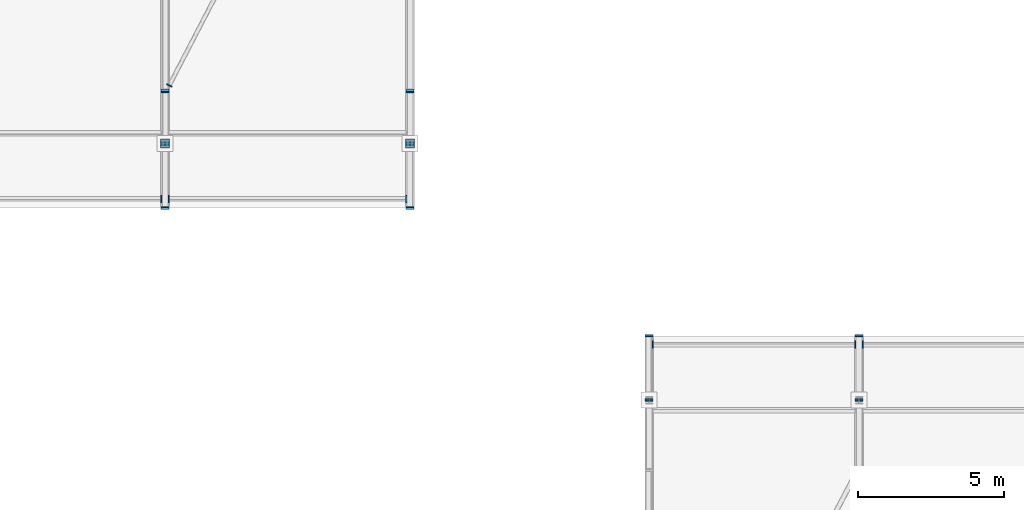
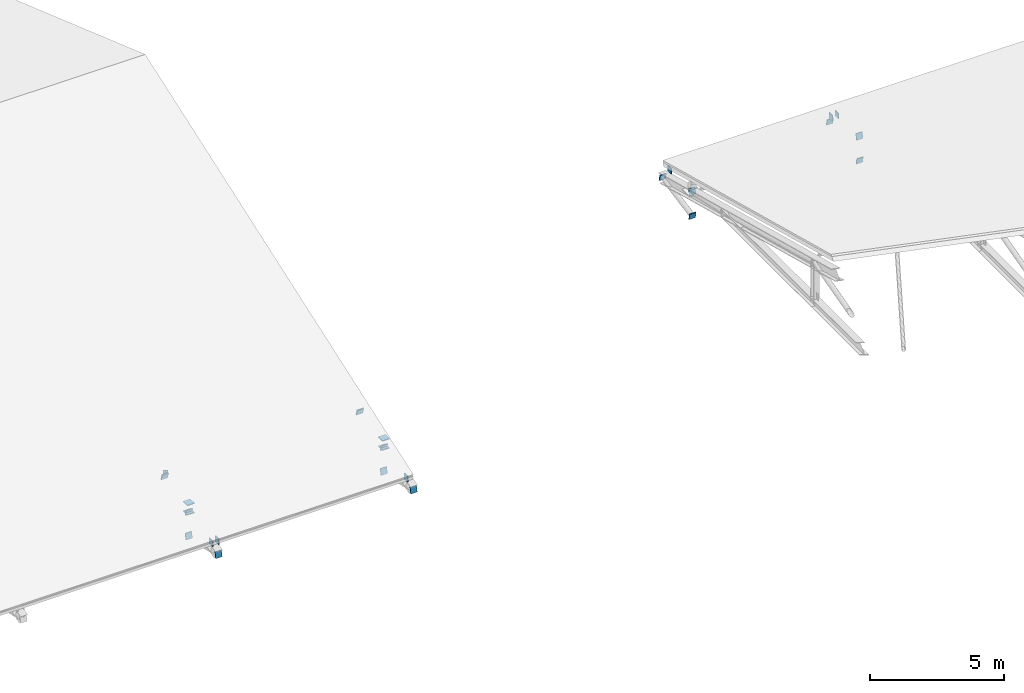
# One storey, part 43 of 57: 27 discrete accessories.
"""IFC4 building model written with IfcOpenShell, lengths in metres."""

from ifc_helpers import new_model, si_unit, direction, frame, origin, origin_2d, place, context, subcontext, project, spatial, rectangle, extrude, material, material_profile, profile_set, type_object, element, save


model = new_model("IFC4")

# Units and contexts
model_context = context("Model", 3, precision=1e-05, world=origin(), true_north=direction((0.0, 1.0)))
body_context = subcontext(model_context, "Body", "Model", "MODEL_VIEW")
ifc_project = project(units=[si_unit("LENGTHUNIT", "METRE"), si_unit("AREAUNIT", "SQUARE_METRE"), si_unit("VOLUMEUNIT", "CUBIC_METRE"), si_unit("PLANEANGLEUNIT", "RADIAN"), si_unit("MASSUNIT", "GRAM", prefix="KILO")], contexts=[model_context])

# Site, building, storey
site_placement = place(None, origin())
site = spatial("IfcSite", under=ifc_project, at=site_placement, CompositionType="ELEMENT")
building_placement = place(site_placement, origin())
building = spatial("IfcBuilding", under=site, at=building_placement, Name="Kelarvand Opera House", CompositionType="ELEMENT")
storey_placement = place(building_placement, frame((0.0, 0.0, 33.60009765625)))
storey = spatial("IfcBuildingStorey", under=building, at=storey_placement, Name="Roof", CompositionType="ELEMENT", Elevation=33.60009765625)

# Discrete accessories
ifc_material = material(Name="Steel S355", Category="steel")
ifc_material_profile_1 = material_profile(ifc_material, rectangle(XDim=0.199951171875, YDim=0.199951171875, at=origin_2d()), Name="Welded Steel Hollow End-Cap Plate 200x200x24", Category="steel")
ifc_profile_set_1 = profile_set([ifc_material_profile_1], Name="Steel S355")
discrete_accessory_type_1 = type_object("IfcDiscreteAccessoryType", Name="Welded Steel Hollow End-Cap Plate 200x200x24", PredefinedType="SHOE", material=ifc_profile_set_1)
discrete_accessory_1_placement = place(storey_placement, frame((42.753662109375, 89.20703125, -13.580078125), z_axis=(-0.4634975267, -0.886098212809, 0.0), x_axis=(0.886098212809, -0.4634975267, 0.0)))
element("IfcDiscreteAccessory", 1, at=discrete_accessory_1_placement, inside=storey, type_object=discrete_accessory_type_1, Name="Hollow Section Welded End Cap 699", PredefinedType="SHOE", context=body_context, shape_type="SweptSolid", body=[
    extrude(rectangle(XDim=0.199951171875, YDim=0.199951171875, at=origin_2d()), origin(), (0.0, 0.0, 1.0), 0.035888671875),
])
ifc_material_profile_2 = material_profile(ifc_material, rectangle(XDim=0.260009765625, YDim=0.260009765625, at=origin_2d()), Name="Welded Steel Hollow End-Cap Plate 260x260x24", Category="steel")
ifc_profile_set_2 = profile_set([ifc_material_profile_2], Name="Steel S355")
discrete_accessory_type_2 = type_object("IfcDiscreteAccessoryType", Name="Welded Steel Hollow End-Cap Plate 260x260x24", PredefinedType="SHOE", material=ifc_profile_set_2)
discrete_accessory_2_placement = place(storey_placement, frame((59.347900390625, 80.300048828125, -0.21923828125), z_axis=(-1.0, 0.0, 0.0), x_axis=(0.0, -1.0, 0.0)))
element("IfcDiscreteAccessory", 2, at=discrete_accessory_2_placement, inside=storey, type_object=discrete_accessory_type_2, Name="Hollow Section Welded End Cap 519", PredefinedType="SHOE", context=body_context, shape_type="SweptSolid", body=[
    extrude(rectangle(XDim=0.260009765625, YDim=0.260009765625, at=origin_2d()), origin(), (0.0, 0.0, 1.0), 0.035888671875),
])
for number, where, z_axis, x_axis, name in (
    (3, (66.251953125, 80.300048828125, -0.21923828125), (1.0, 0.0, 0.0), (0.0, 1.0, 0.0), "Hollow Section Welded End Cap 520"),
    (4, (66.548095703125, 80.300048828125, -0.21923828125), (-1.0, 0.0, 0.0), (0.0, -1.0, 0.0), "Hollow Section Welded End Cap 527"),
    (5, (42.451904296875, 85.300048828125, -14.2998046875), (1.0, 0.0, 0.0), (0.0, 1.0, 0.0), "Hollow Section Welded End Cap 696"),
    (6, (42.748046875, 85.300048828125, -14.2998046875), (-1.0, 0.0, 0.0), (0.0, -1.0, 0.0), "Hollow Section Welded End Cap 697"),
):
    element("IfcDiscreteAccessory", number, at=place(storey_placement, frame(where, z_axis=z_axis, x_axis=x_axis)), inside=storey, type_object=discrete_accessory_type_2, Name=name, PredefinedType="SHOE", context=body_context, shape_type="SweptSolid", body=[
        extrude(rectangle(XDim=0.260009765625, YDim=0.260009765625, at=origin_2d()), origin(), (0.0, 0.0, 1.0), 0.0361328125),
    ])
discrete_accessory_3_placement = place(storey_placement, frame((50.85205078125, 85.300048828125, -14.2998046875), z_axis=(1.0, 0.0, 0.0), x_axis=(0.0, 1.0, 0.0)))
element("IfcDiscreteAccessory", 7, at=discrete_accessory_3_placement, inside=storey, type_object=discrete_accessory_type_2, Name="Hollow Section Welded End Cap 698", PredefinedType="SHOE", context=body_context, shape_type="SweptSolid", body=[
    extrude(rectangle(XDim=0.260009765625, YDim=0.260009765625, at=origin_2d()), origin(), (0.0, 0.0, 1.0), 0.035888671875),
])
ifc_material_profile_3 = material_profile(ifc_material, rectangle(XDim=0.279052734375, YDim=0.279052734375, at=origin_2d()), Name="Welded Steel Hollow End-Cap Plate 279x279x24", Category="steel")
ifc_profile_set_3 = profile_set([ifc_material_profile_3], Name="Steel S355")
discrete_accessory_type_3 = type_object("IfcDiscreteAccessoryType", Name="Welded Steel Hollow End-Cap Plate 279x279x24", PredefinedType="SHOE", material=ifc_profile_set_3)
for number, where, z_axis, x_axis, name in (
    (8, (59.199951171875, 78.407958984375, -1.0986328125), (0.0, -0.981861262275, -0.189600795474), (1.0, 0.0, 0.0), "Hollow Section Welded End Cap 439"),
    (9, (59.199951171875, 80.592041015625, -0.677001953125), (0.0, 0.981861262275, 0.189600795474), (-1.0, 0.0, 0.0), "Hollow Section Welded End Cap 440"),
    (10, (59.199951171875, 78.39208984375, 0.001708984375), (0.0, 0.976502936242, -0.215504096274), (-1.0, 0.0, 0.0), "Hollow Section Welded End Cap 443"),
    (11, (66.39990234375, 78.407958984375, -1.0986328125), (0.0, -0.981861262275, -0.189600795474), (1.0, 0.0, 0.0), "Hollow Section Welded End Cap 455"),
    (12, (66.39990234375, 80.592041015625, -0.677001953125), (0.0, 0.981861262275, 0.189600795474), (-1.0, 0.0, 0.0), "Hollow Section Welded End Cap 456"),
    (13, (66.39990234375, 78.39208984375, 0.001708984375), (0.0, 0.976502936242, -0.215504096274), (-1.0, 0.0, 0.0), "Hollow Section Welded End Cap 459"),
    (14, (42.60009765625, 87.192138671875, -15.1982421875), (0.0, 0.974732318528, -0.223376156329), (-1.0, 0.0, 0.0), "Hollow Section Welded End Cap 637"),
    (15, (42.60009765625, 85.0078125, -14.70458984375), (0.0, -0.976187060184, 0.216930457819), (1.0, 0.0, 0.0), "Hollow Section Welded End Cap 638"),
    (16, (42.60009765625, 87.207763671875, -14.097900390625), (0.0, -0.960754262325, -0.277400878559), (1.0, 0.0, 0.0), "Hollow Section Welded End Cap 639"),
    (17, (42.60009765625, 88.9921875, -13.582275390625), (0.0, 0.960754262325, 0.277400878559), (-1.0, 0.0, 0.0), "Hollow Section Welded End Cap 640"),
    (18, (42.60009765625, 89.007568359375, -13.5771484375), (0.0, -0.933519842428, -0.358525736585), (1.0, 0.0, 0.0), "Hollow Section Welded End Cap 647"),
    (19, (51.0, 87.192138671875, -15.1982421875), (0.0, 0.974732318528, -0.223376156329), (-1.0, 0.0, 0.0), "Hollow Section Welded End Cap 661"),
    (20, (51.0, 85.0078125, -14.70458984375), (0.0, -0.976187060184, 0.216930457819), (1.0, 0.0, 0.0), "Hollow Section Welded End Cap 662"),
    (21, (51.0, 87.207763671875, -14.097900390625), (0.0, -0.960754262325, -0.277400878559), (1.0, 0.0, 0.0), "Hollow Section Welded End Cap 663"),
    (22, (51.0, 88.9921875, -13.582275390625), (0.0, 0.960754262325, 0.277400878559), (-1.0, 0.0, 0.0), "Hollow Section Welded End Cap 664"),
    (23, (51.0, 89.007568359375, -13.5771484375), (0.0, -0.933519842428, -0.358525736585), (1.0, 0.0, 0.0), "Hollow Section Welded End Cap 671"),
):
    element("IfcDiscreteAccessory", number, at=place(storey_placement, frame(where, z_axis=z_axis, x_axis=x_axis)), inside=storey, type_object=discrete_accessory_type_3, Name=name, PredefinedType="SHOE", context=body_context, shape_type="SweptSolid", body=[
        extrude(rectangle(XDim=0.279052734375, YDim=0.279052734375, at=origin_2d()), origin(), (0.0, 0.0, 1.0), 0.0361328125),
    ])
ifc_material_profile_4 = material_profile(ifc_material, rectangle(XDim=0.31005859375, YDim=0.31005859375, at=origin_2d()), Name="Welded Steel Hollow End-Cap Plate 310x310x24", Category="steel")
ifc_profile_set_4 = profile_set([ifc_material_profile_4], Name="Steel S355")
discrete_accessory_type_4 = type_object("IfcDiscreteAccessoryType", Name="Welded Steel Hollow End-Cap Plate 310x310x24", PredefinedType="SHOE", material=ifc_profile_set_4)
discrete_accessory_4_placement = place(storey_placement, frame((42.60009765625, 87.199951171875, -14.092041015625), z_axis=(0.0, 0.0, -1.0), x_axis=(1.0, 0.0, 0.0)))
element("IfcDiscreteAccessory", 24, at=discrete_accessory_4_placement, inside=storey, type_object=discrete_accessory_type_4, Name="Hollow Section Welded End Cap 641", PredefinedType="SHOE", context=body_context, shape_type="SweptSolid", body=[
    extrude(rectangle(XDim=0.31005859375, YDim=0.31005859375, at=origin_2d()), origin(), (0.0, 0.0, 1.0), 0.0361328125),
])
discrete_accessory_5_placement = place(storey_placement, frame((42.60009765625, 87.199951171875, -13.7080078125), z_axis=(0.0, 0.0, 1.0), x_axis=(1.0, 0.0, 0.0)))
element("IfcDiscreteAccessory", 25, at=discrete_accessory_5_placement, inside=storey, type_object=discrete_accessory_type_4, Name="Hollow Section Welded End Cap 642", PredefinedType="SHOE", context=body_context, shape_type="SweptSolid", body=[
    extrude(rectangle(XDim=0.31005859375, YDim=0.31005859375, at=origin_2d()), origin(), (0.0, 0.0, 1.0), 0.035888671875),
])
discrete_accessory_6_placement = place(storey_placement, frame((51.0, 87.199951171875, -14.092041015625), z_axis=(0.0, 0.0, -1.0), x_axis=(1.0, 0.0, 0.0)))
element("IfcDiscreteAccessory", 26, at=discrete_accessory_6_placement, inside=storey, type_object=discrete_accessory_type_4, Name="Hollow Section Welded End Cap 665", PredefinedType="SHOE", context=body_context, shape_type="SweptSolid", body=[
    extrude(rectangle(XDim=0.31005859375, YDim=0.31005859375, at=origin_2d()), origin(), (0.0, 0.0, 1.0), 0.0361328125),
])
discrete_accessory_7_placement = place(storey_placement, frame((51.0, 87.199951171875, -13.7080078125), z_axis=(0.0, 0.0, 1.0), x_axis=(1.0, 0.0, 0.0)))
element("IfcDiscreteAccessory", 27, at=discrete_accessory_7_placement, inside=storey, type_object=discrete_accessory_type_4, Name="Hollow Section Welded End Cap 666", PredefinedType="SHOE", context=body_context, shape_type="SweptSolid", body=[
    extrude(rectangle(XDim=0.31005859375, YDim=0.31005859375, at=origin_2d()), origin(), (0.0, 0.0, 1.0), 0.035888671875),
])

save(model, "model.ifc")
